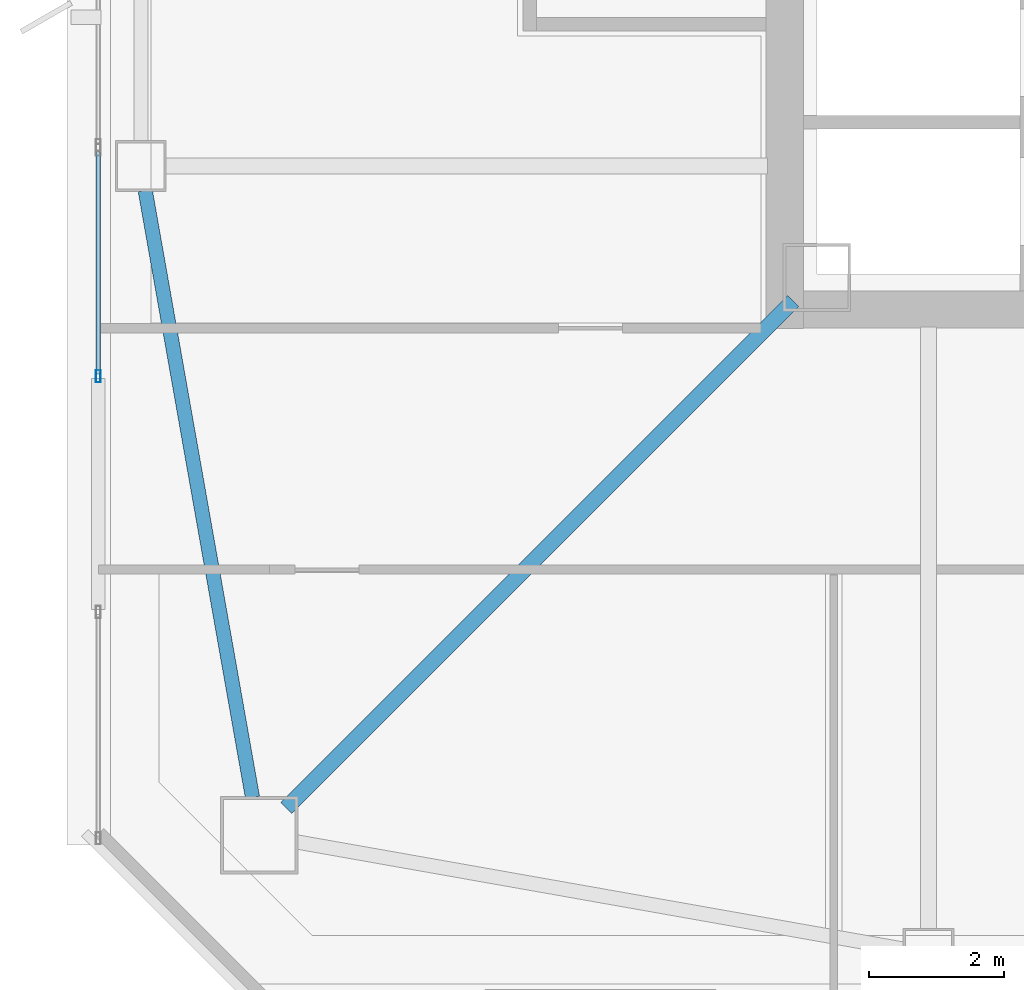
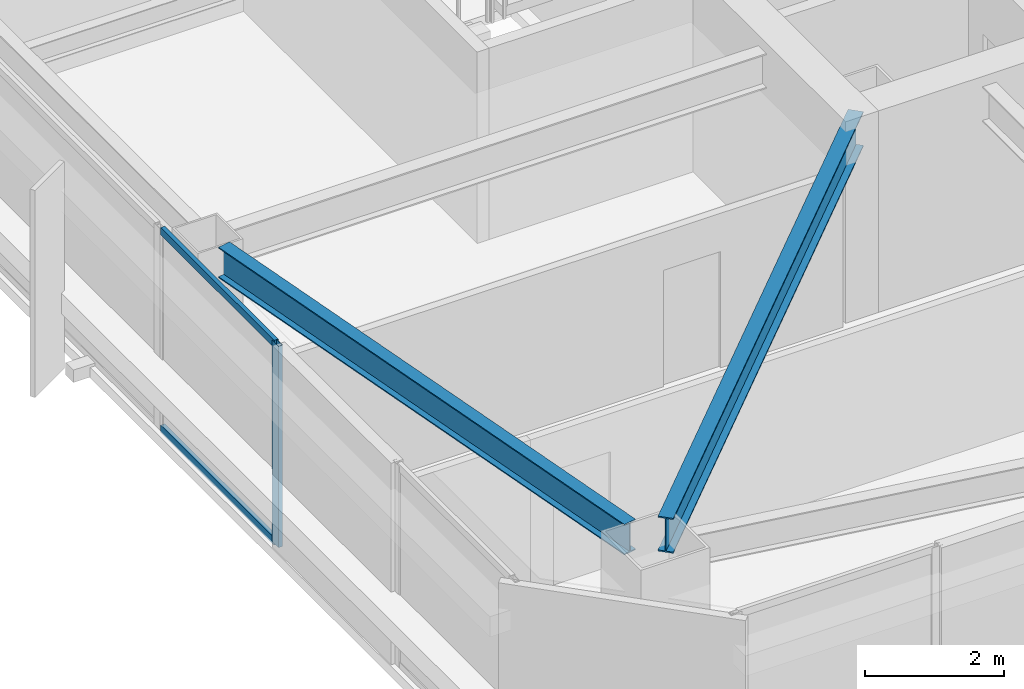
# One storey, part 4 of 46: 3 members, 2 beams, 1 element without a shape of its own.
"""IFC4 building model written with IfcOpenShell, lengths in metres."""

from ifc_helpers import new_model, si_unit, direction, frame, origin, origin_2d, place, context, subcontext, project, spatial, hollow_rectangle, i_section, extrude, material, material_profile, profile_set, type_object, element, aggregate, save


model = new_model("IFC4")

# Units and contexts
model_context = context("Model", 3, precision=1e-05, world=origin(), true_north=direction((0.0, 1.0)))
body_context = subcontext(model_context, "Body", "Model", "MODEL_VIEW")
ifc_project = project(units=[si_unit("LENGTHUNIT", "METRE"), si_unit("AREAUNIT", "SQUARE_METRE"), si_unit("VOLUMEUNIT", "CUBIC_METRE"), si_unit("PLANEANGLEUNIT", "RADIAN"), si_unit("MASSUNIT", "GRAM", prefix="KILO")], contexts=[model_context])

# Site, building, storey
site_placement = place(None, origin())
site = spatial("IfcSite", under=ifc_project, at=site_placement, CompositionType="ELEMENT")
building_placement = place(site_placement, origin())
building = spatial("IfcBuilding", under=site, at=building_placement, Name="Tashvorn Skyway Center", CompositionType="ELEMENT")
storey_placement = place(building_placement, frame((0.0, 0.0, 167.64990234375)))
storey = spatial("IfcBuildingStorey", under=building, at=storey_placement, Name="L45", CompositionType="ELEMENT", Elevation=167.64990234375)

# Beams
ifc_material_1 = material(Name="Steel ASTM A992 Grade 50", Category="steel")
ifc_material_profile_1 = material_profile(ifc_material_1, i_section(OverallWidth=0.22998046875, OverallDepth=0.616943359375, WebThickness=0.01318359375, FlangeThickness=0.022216796875, at=origin_2d()), Name="W24X94")
ifc_profile_set_1 = profile_set([ifc_material_profile_1], Name="Steel ASTM A992 Grade 50")
beam_type_1 = type_object("IfcBeamType", Name="BM-BEAM-W24X94", PredefinedType="BEAM", material=ifc_profile_set_1)
beam_1_placement = place(storey_placement, frame((27.10302734375, 17.10302734375, 3.0615234375), z_axis=(0.707106781187, 0.707106781187, 0.0), x_axis=(-0.707106781187, 0.707106781187, 0.0)))
element("IfcBeam", 1, at=beam_1_placement, inside=storey, type_object=beam_type_1, Name="Tower 1 L45 Primary Floor Girder MC-SW", PredefinedType="BEAM", context=body_context, shape_type="SweptSolid", body=[
    extrude(i_section(OverallWidth=0.22998046875, OverallDepth=0.616943359375, WebThickness=0.01318359375, FlangeThickness=0.022216796875, at=origin_2d()), origin(), (0.0, 0.0, 1.0), 10.6025390625),
])
ifc_material_profile_2 = material_profile(ifc_material_1, i_section(OverallWidth=0.2109375, OverallDepth=0.5390625, WebThickness=0.01171875, FlangeThickness=0.018798828125, at=origin_2d()), Name="W21X73")
ifc_profile_set_2 = profile_set([ifc_material_profile_2], Name="Steel ASTM A992 Grade 50")
beam_type_2 = type_object("IfcBeamType", Name="BM-SPANDREL-W21X73", PredefinedType="SPANDREL", material=ifc_profile_set_2)
beam_2_placement = place(storey_placement, frame((25.014404296875, 26.235595703125, 3.1005859375), z_axis=(0.174074160933, -0.984732545667, 0.0), x_axis=(0.984732545667, 0.174074160933, 0.0)))
element("IfcBeam", 2, at=beam_2_placement, inside=storey, type_object=beam_type_2, Name="Tower 1 L45 Spandrel Beam 12", PredefinedType="SPANDREL", context=body_context, shape_type="SweptSolid", body=[
    extrude(i_section(OverallWidth=0.2109375, OverallDepth=0.5390625, WebThickness=0.01171875, FlangeThickness=0.018798828125, at=origin_2d()), origin(), (0.0, 0.0, 1.0), 9.113525390625),
])

# Curtain wall, members
ifc_material_2 = material(Name="Thermally broken bronze-anodized aluminium 6063-T6", Category="aluminium")
curtain_wall_type = type_object("IfcCurtainWallType", Name="CW-CW-Z4", PredefinedType="NOTDEFINED", material=ifc_material_2)
curtain_wall_placement = place(storey_placement, origin())
curtain_wall = element("IfcCurtainWall", 3, at=curtain_wall_placement, inside=storey, type_object=curtain_wall_type, Name="Tower 1 L45 West Unitised Curtain Wall Glazing Group 2", PredefinedType="NOTDEFINED")
ifc_material_profile_3 = material_profile(ifc_material_2, hollow_rectangle(XDim=0.070068359375, YDim=0.179931640625, WallThickness=0.00390625, at=origin_2d()), Name="ALU-MULL-70x180")
ifc_profile_set_3 = profile_set([ifc_material_profile_3], Name="Thermally broken bronze-anodized aluminium 6063-T6")
member_type_1 = type_object("IfcMemberType", Name="CWM-CW-Z4", PredefinedType="MULLION", material=ifc_profile_set_3)
member_1_placement = place(storey_placement, frame((24.320068359375, 23.490478515625, 0.0), z_axis=(0.0, 0.0, 1.0), x_axis=(-1.0, 0.0, 0.0)))
member_1 = element("IfcMember", 4, at=member_1_placement, type_object=member_type_1, Name="CW-Z4 mullion 1", PredefinedType="MULLION", context=body_context, shape_type="SweptSolid", body=[
    extrude(hollow_rectangle(XDim=0.070068359375, YDim=0.179931640625, WallThickness=0.00390625, at=origin_2d()), origin(), (0.0, 0.0, 1.0), 3.550048828125),
])
ifc_material_profile_4 = material_profile(ifc_material_2, hollow_rectangle(XDim=0.070068359375, YDim=0.1298828125, WallThickness=0.00390625, at=origin_2d()), Name="ALU-TRAN-70x130")
ifc_profile_set_4 = profile_set([ifc_material_profile_4], Name="Thermally broken bronze-anodized aluminium 6063-T6")
member_type_2 = type_object("IfcMemberType", Name="CWT-CW-Z4", PredefinedType="USERDEFINED", material=ifc_profile_set_4)
member_2_placement = place(storey_placement, frame((24.320068359375, 23.525634765625, 0.03515625), z_axis=(0.0, 1.0, 0.0), x_axis=(-1.0, 0.0, 0.0)))
member_2 = element("IfcMember", 5, at=member_2_placement, type_object=member_type_2, Name="CW-Z4 transom 1.1", ObjectType="TRANSOM", PredefinedType="USERDEFINED", context=body_context, shape_type="SweptSolid", body=[
    extrude(hollow_rectangle(XDim=0.070068359375, YDim=0.1298828125, WallThickness=0.00390625, at=origin_2d()), origin(), (0.0, 0.0, 1.0), 3.277587890625),
])
member_3_placement = place(storey_placement, frame((24.320068359375, 23.525634765625, 3.51513671875), z_axis=(0.0, 1.0, 0.0), x_axis=(-1.0, 0.0, 0.0)))
member_3 = element("IfcMember", 6, at=member_3_placement, type_object=member_type_2, Name="CW-Z4 transom 1.2", ObjectType="TRANSOM", PredefinedType="USERDEFINED", context=body_context, shape_type="SweptSolid", body=[
    extrude(hollow_rectangle(XDim=0.070068359375, YDim=0.1298828125, WallThickness=0.00390625, at=origin_2d()), origin(), (0.0, 0.0, 1.0), 3.277587890625),
])
aggregate(curtain_wall, [member_1, member_2, member_3])

save(model, "model.ifc")
